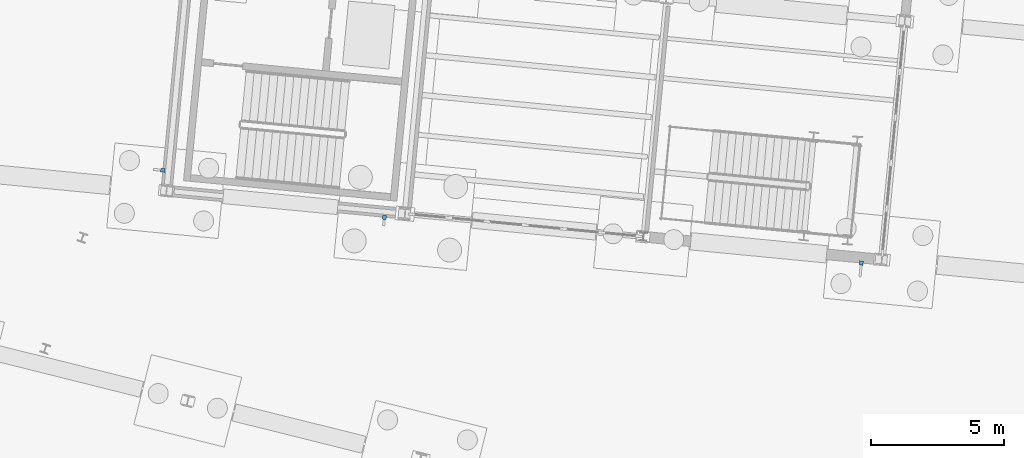
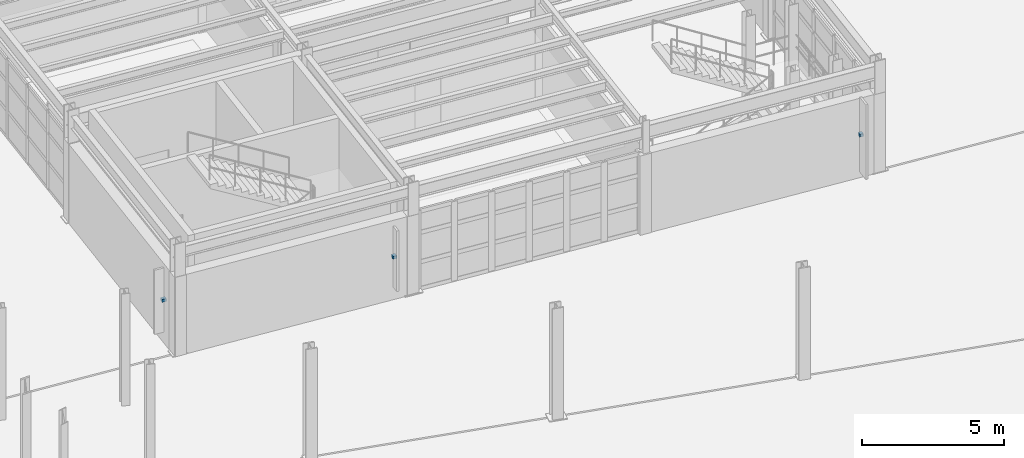
# One storey, part 95 of 108: 3 discrete accessories.
"""IFC4 building model written with IfcOpenShell, lengths in metres."""

from ifc_helpers import new_model, si_unit, direction, frame, origin, origin_2d, place, context, subcontext, project, spatial, rectangle, extrude, material, type_object, element, save


model = new_model("IFC4")

# Units and contexts
model_context = context("Model", 3, precision=1e-05, world=origin(), true_north=direction((0.0, 1.0)))
body_context = subcontext(model_context, "Body", "Model", "MODEL_VIEW")
ifc_project = project(units=[si_unit("LENGTHUNIT", "METRE"), si_unit("AREAUNIT", "SQUARE_METRE"), si_unit("VOLUMEUNIT", "CUBIC_METRE"), si_unit("PLANEANGLEUNIT", "RADIAN"), si_unit("MASSUNIT", "GRAM", prefix="KILO")], contexts=[model_context])

# Site, building, storey
site_placement = place(None, origin())
site = spatial("IfcSite", under=ifc_project, at=site_placement, CompositionType="ELEMENT")
building_placement = place(site_placement, origin())
building = spatial("IfcBuilding", under=site, at=building_placement, Name="Vireo Bluff Cable Station", CompositionType="ELEMENT")
storey_placement = place(building_placement, origin())
storey = spatial("IfcBuildingStorey", under=building, at=storey_placement, Name="L00", CompositionType="ELEMENT", Elevation=0.0)

# Discrete accessories
ifc_material = material(Name="Stainless Steel 316", Category="steel")
discrete_accessory_type = type_object("IfcDiscreteAccessoryType", Name="FACADE-BRACKET-01", PredefinedType="BRACKET", material=ifc_material)
for number, where, z_axis, x_axis, name in (
    (1, (93.843017578125, 64.289306640625, 1.7900390625), (0.0, 0.0, 1.0), (-0.995396202153, 0.095845713205, 0.0), "V3 L00 solar fin bracket 17"),
    (2, (75.925537109375, 66.009521484375, 1.7900390625), (0.0, 0.0, 1.0), (-0.995396205524, 0.095845678199, 0.0), "V3 L00 solar fin bracket 18"),
    (3, (67.60107421875, 67.77197265625, 1.7900390625), (0.0, 0.0, 1.0), (0.095845710321, 0.99539620243, 0.0), "V3 L00 solar fin bracket 19"),
):
    element("IfcDiscreteAccessory", number, at=place(storey_placement, frame(where, z_axis=z_axis, x_axis=x_axis)), inside=storey, type_object=discrete_accessory_type, Name=name, PredefinedType="BRACKET", context=body_context, shape_type="SweptSolid", body=[
        extrude(rectangle(XDim=0.139892578125, YDim=0.159912109375, at=origin_2d()), origin(), (0.0, 0.0, 1.0), 0.1201171875),
    ])

save(model, "model.ifc")
